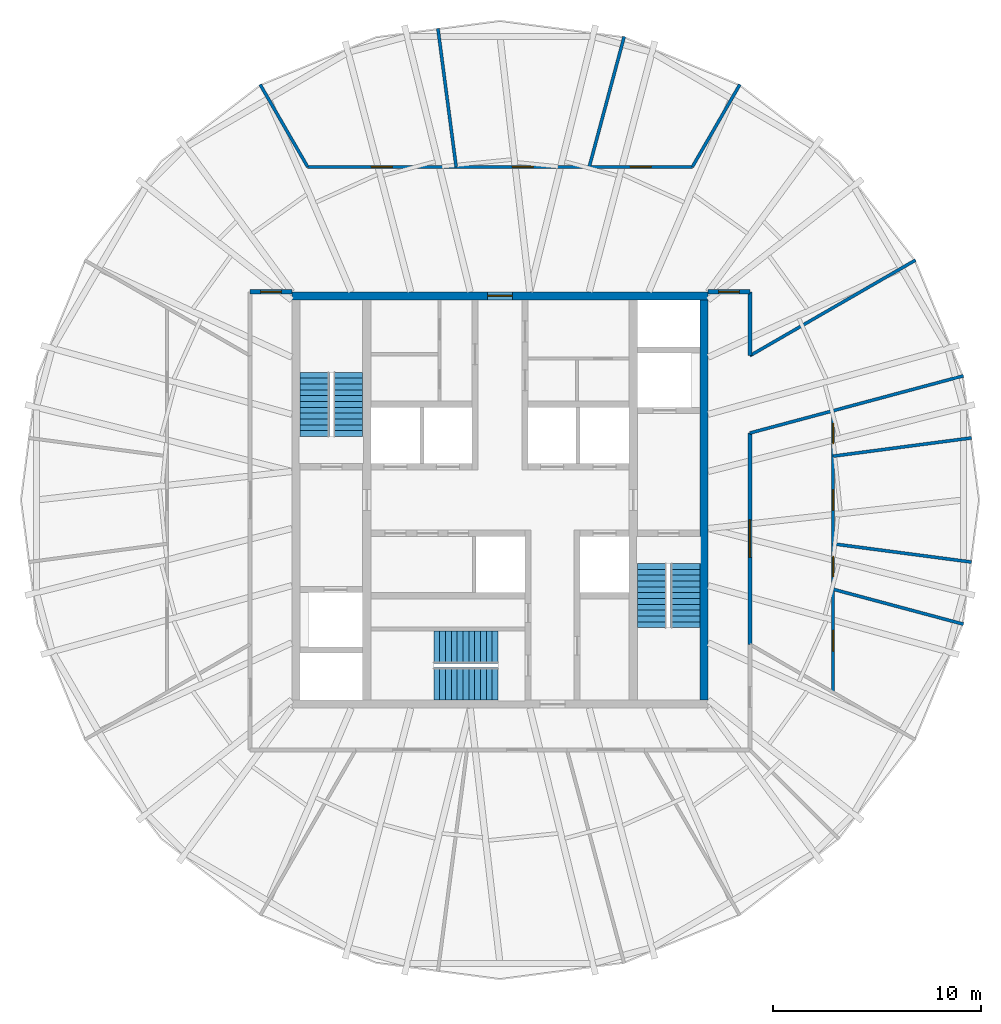
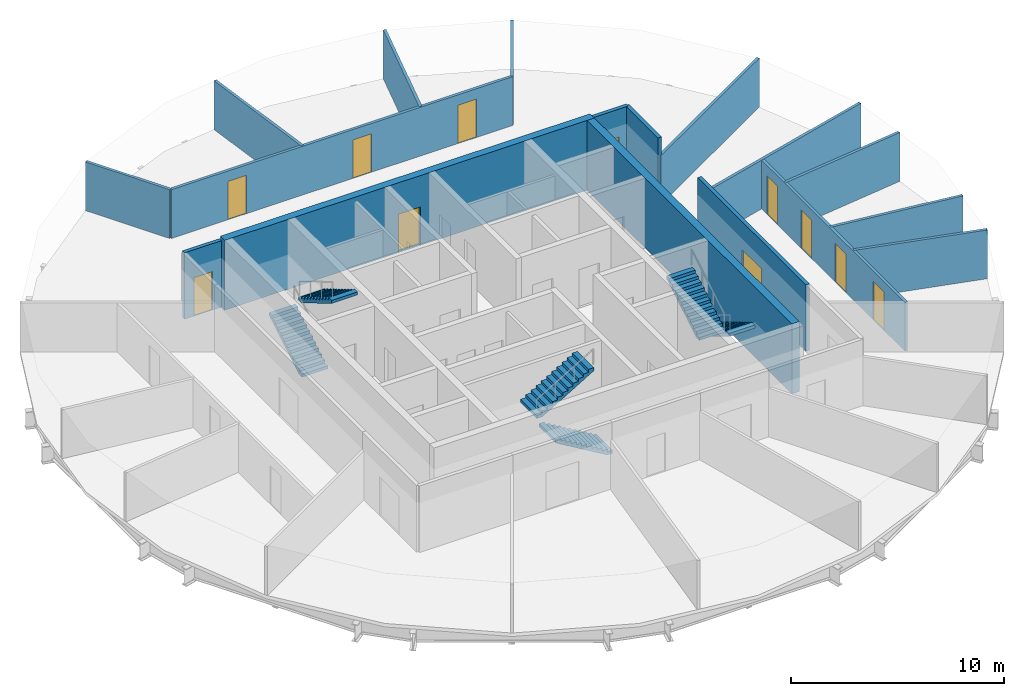
# One storey, part 5 of 6: 17 walls, 11 doors, 6 stair flights, 11 openings, 3 elements without a shape of their own.
"""IFC4 building model written with IfcOpenShell, lengths in metres."""

import ifcopenshell
import ifcopenshell.guid

model = None  # the IFC model being written
_history = None  # IfcOwnerHistory: only IFC2X3 demands one
_inside = {}  # id of a spatial element -> (the spatial element, [elements in it])
_under = {}  # id of a project, library or spatial element -> (it, [spatial elements below it])
_declared = {}  # id of a project -> (the project, [libraries it declares])
_typed = {}  # id of a type object -> (the type object, [elements of that type])
_made_of = {}  # id of a material, layer set ... -> (it, [elements and type objects made of it])


def new_model(schema):
    """Start an empty IFC model of exactly this schema.

    Asked for "IFC4X3", IfcOpenShell would pick the latest addendum, in which some entities
    have other attributes; the version numbers below select the first issue.
    IFC2X3 requires an IfcOwnerHistory on every rooted entity: one is made here for all.
    """
    global model, _history
    if schema == "IFC4X3":
        model = ifcopenshell.file(schema_version=(4, 3, 0, 0))
    else:
        model = ifcopenshell.file(schema=schema)
    _inside.clear()
    _under.clear()
    _declared.clear()
    _typed.clear()
    _made_of.clear()
    _history = None
    if model.schema == "IFC2X3":
        org = make("IfcOrganization", Name="unknown")
        user = make(
            "IfcPersonAndOrganization",
            ThePerson=make("IfcPerson", FamilyName="unknown"),
            TheOrganization=org,
        )
        app = make(
            "IfcApplication",
            ApplicationDeveloper=org,
            Version="unknown",
            ApplicationFullName="unknown",
            ApplicationIdentifier="unknown",
        )
        _history = make(
            "IfcOwnerHistory",
            OwningUser=user,
            OwningApplication=app,
            ChangeAction="ADDED",
            CreationDate=0,
        )
    return model


def make(cls, **values):
    """One entity of the class cls with the attributes given. An attribute that is None is left unset."""
    return model.create_entity(
        cls, **{name: value for name, value in values.items() if value is not None}
    )


def rooted(cls, **values):
    """An entity with a GlobalId (a new one), such as an element, a storey or a relation."""
    return make(cls, GlobalId=ifcopenshell.guid.new(), OwnerHistory=_history, **values)


def si_unit(unit_type, name, prefix=None):
    """IfcSIUnit, for example si_unit("LENGTHUNIT", "METRE", prefix="MILLI")."""
    return make("IfcSIUnit", UnitType=unit_type, Prefix=prefix, Name=name)


def assignment(units):
    """IfcUnitAssignment: the units of a project."""
    return None if units is None else make("IfcUnitAssignment", Units=units)


def point(xyz):
    """IfcCartesianPoint."""
    return None if xyz is None else make("IfcCartesianPoint", Coordinates=xyz)


def direction(xyz):
    """IfcDirection."""
    return None if xyz is None else make("IfcDirection", DirectionRatios=xyz)


def frame(location, z_axis=None, x_axis=None):
    """IfcAxis2Placement3D, a coordinate frame: its origin and axes. An axis left out is left unset."""
    return make(
        "IfcAxis2Placement3D",
        Location=point(location),
        Axis=direction(z_axis),
        RefDirection=direction(x_axis),
    )


def frame_2d(location, x_axis=None):
    """IfcAxis2Placement2D, a coordinate frame in the plane: its origin and x axis."""
    return make(
        "IfcAxis2Placement2D", Location=point(location), RefDirection=direction(x_axis)
    )


def origin():
    """The frame at (0, 0, 0) with its axes left unset."""
    return frame((0.0, 0.0, 0.0))


def place(relative_to, where):
    """IfcLocalPlacement: puts the frame where relative to a parent placement (None: the world)."""
    return make(
        "IfcLocalPlacement", PlacementRelTo=relative_to, RelativePlacement=where
    )


def context(
    kind, dimensions, precision=None, world=None, true_north=None, identifier=None
):
    """IfcGeometricRepresentationContext, for example the 3D "Model" context."""
    return make(
        "IfcGeometricRepresentationContext",
        ContextIdentifier=identifier,
        ContextType=kind,
        CoordinateSpaceDimension=dimensions,
        Precision=precision,
        WorldCoordinateSystem=world,
        TrueNorth=true_north,
    )


def subcontext(parent, identifier, kind, view, scale=None):
    """IfcGeometricRepresentationSubContext, for example "Body" below "Model"."""
    return make(
        "IfcGeometricRepresentationSubContext",
        ContextIdentifier=identifier,
        ContextType=kind,
        ParentContext=parent,
        TargetScale=scale,
        TargetView=view,
    )


def project(units=None, contexts=None):
    """IfcProject with its units and contexts."""
    return rooted(
        "IfcProject",
        Name="project",
        RepresentationContexts=contexts,
        UnitsInContext=assignment(units),
    )


def spatial(cls, under=None, at=None, **own):
    """A site, building, storey or space (cls), placed at a placement, below another one or the project."""
    s = rooted(cls, ObjectPlacement=at, **own)
    if under is not None:
        _under.setdefault(under.id(), (under, []))[1].append(s)
    return s


def polyline(points):
    """IfcPolyline through the points."""
    return make("IfcPolyline", Points=[point(p) for p in points])


def profile(cls, at=None, kind="AREA", **sizes):
    """A parametric profile (cls). Its sizes go by their IFC names, for example OverallWidth=200.0."""
    return make(cls, ProfileType=kind, Position=at, **sizes)


def rectangle(**sizes):
    """IfcRectangleProfileDef."""
    return profile("IfcRectangleProfileDef", **sizes)


def outline(outer, holes=None, kind="AREA"):
    """IfcArbitraryClosedProfileDef: a profile drawn as a closed curve; with holes, ...WithVoids."""
    if holes is None:
        return make("IfcArbitraryClosedProfileDef", ProfileType=kind, OuterCurve=outer)
    return make(
        "IfcArbitraryProfileDefWithVoids",
        ProfileType=kind,
        OuterCurve=outer,
        InnerCurves=holes,
    )


def extrude(swept, where, along, depth):
    """IfcExtrudedAreaSolid: the profile swept, set in the frame where, extruded along a direction by depth."""
    return make(
        "IfcExtrudedAreaSolid",
        SweptArea=swept,
        Position=where,
        ExtrudedDirection=direction(along),
        Depth=depth,
    )


def shape(context_of_items, identifier, shape_type, items):
    """IfcShapeRepresentation: the items that make up one representation, for example the "Body"."""
    return make(
        "IfcShapeRepresentation",
        ContextOfItems=context_of_items,
        RepresentationIdentifier=identifier,
        RepresentationType=shape_type,
        Items=items,
    )


def material(Name=None, Category=None):
    """IfcMaterial."""
    return make("IfcMaterial", Name=Name, Category=Category)


def layer(
    of_material, thickness, ventilated=None, Name=None, Category=None, Priority=None
):
    """IfcMaterialLayer: one layer of a wall or slab, of a material (None: an air gap)."""
    return make(
        "IfcMaterialLayer",
        Material=of_material,
        LayerThickness=thickness,
        IsVentilated=ventilated,
        Name=Name,
        Category=Category,
        Priority=Priority,
    )


def layer_set(layers, Name=None):
    """IfcMaterialLayerSet."""
    return make("IfcMaterialLayerSet", MaterialLayers=layers, LayerSetName=Name)


def made_of(thing, what):
    """Note that an element or type object is made of a material, layer set ...; save() writes the relation."""
    if what is not None:
        _made_of.setdefault(what.id(), (what, []))[1].append(thing)
    return thing


def type_object(cls, material=None, **own):
    """A type object (cls), such as IfcWallType, which elements share."""
    return made_of(rooted(cls, **own), material)


def element(
    cls,
    number,
    at=None,
    inside=None,
    cuts=None,
    type_object=None,
    material=None,
    context=None,
    identifier="Body",
    shape_type=None,
    held_by="IfcProductDefinitionShape",
    body=None,
    shapes=None,
    **own,
):
    """One element of the class cls, such as IfcWall. Its Tag is "e" and its number.

    at: its placement. inside: the storey or other place that contains it. cuts: it is an
    opening in that element (IfcRelVoidsElement). A single representation is given by context,
    identifier, shape_type and body (its items); several are given by shapes. held_by: the class
    of the entity that holds the representations. save() writes the other relations.
    """
    e = rooted(cls, Tag="e%d" % number, ObjectPlacement=at, **own)
    if body is not None:
        shapes = [shape(context, identifier, shape_type, body)]
    if shapes is not None:
        e.Representation = make(held_by, Representations=shapes)
    if inside is not None:
        _inside.setdefault(inside.id(), (inside, []))[1].append(e)
    if cuts is not None:
        rooted(
            "IfcRelVoidsElement", RelatingBuildingElement=cuts, RelatedOpeningElement=e
        )
    if type_object is not None:
        _typed.setdefault(type_object.id(), (type_object, []))[1].append(e)
    return made_of(e, material)


def fill(opening, filler):
    """IfcRelFillsElement: the door or window that sits in an opening."""
    return rooted(
        "IfcRelFillsElement",
        RelatingOpeningElement=opening,
        RelatedBuildingElement=filler,
    )


def aggregate(whole, parts):
    """IfcRelAggregates: a whole, such as a stair, and the parts it consists of."""
    return rooted("IfcRelAggregates", RelatingObject=whole, RelatedObjects=parts)


def save(model, path):
    """Write the relations noted so far, then the file.

    IfcRelAggregates (storeys below a building ...), IfcRelContainedInSpatialStructure (elements
    in a storey), IfcRelDefinesByType, IfcRelAssociatesMaterial and IfcRelDeclares: one each for
    every whole, place, type object, material and project.
    """
    for whole, parts in _under.values():
        aggregate(whole, parts)
    for where, things in _inside.values():
        rooted(
            "IfcRelContainedInSpatialStructure",
            RelatedElements=things,
            RelatingStructure=where,
        )
    for kind, things in _typed.values():
        rooted("IfcRelDefinesByType", RelatedObjects=things, RelatingType=kind)
    for what, things in _made_of.values():
        rooted("IfcRelAssociatesMaterial", RelatedObjects=things, RelatingMaterial=what)
    for by, libraries in _declared.values():
        rooted("IfcRelDeclares", RelatingContext=by, RelatedDefinitions=libraries)
    model.write(path)


model = new_model("IFC4")

# Units and contexts
model_context = context("Model", 3, precision=1e-05, world=origin(), true_north=direction((0.0, 1.0)))
body_context = subcontext(model_context, "Body", "Model", "MODEL_VIEW")
ifc_project = project(units=[si_unit("LENGTHUNIT", "METRE"), si_unit("AREAUNIT", "SQUARE_METRE"), si_unit("VOLUMEUNIT", "CUBIC_METRE"), si_unit("PLANEANGLEUNIT", "RADIAN"), si_unit("MASSUNIT", "GRAM", prefix="KILO")], contexts=[model_context])

# Site, building, storey
site_placement = place(None, origin())
site = spatial("IfcSite", under=ifc_project, at=site_placement, CompositionType="ELEMENT")
building_placement = place(site_placement, origin())
building = spatial("IfcBuilding", under=site, at=building_placement, Name="Golbaran Civic Tower", CompositionType="ELEMENT")
storey_placement = place(building_placement, frame((0.0, 0.0, 228.0)))
storey = spatial("IfcBuildingStorey", under=building, at=storey_placement, Name="L55", CompositionType="ELEMENT", Elevation=228.0)

# Wall, opening, door
ifc_material_1 = material(Name="Concrete C50/60", Category="concrete")
ifc_layer_1 = layer(ifc_material_1, 0.39990234375, Name="Concrete C50/60")
ifc_layer_set_1 = layer_set([ifc_layer_1], Name="Concrete C50/60")
wall_type_1 = type_object("IfcWallType", Name="CORE WALL CONCRETE 400", PredefinedType="SOLIDWALL", material=ifc_layer_set_1)
wall_1_placement = place(storey_placement, frame((-10.0, 9.800048828125, 0.0), z_axis=(0.0, 0.0, 1.0), x_axis=(1.0, 0.0, 0.0)))
wall_1 = element("IfcWall", 1, at=wall_1_placement, inside=storey, type_object=wall_type_1, Name="Core wall CN L55", PredefinedType="SOLIDWALL", context=body_context, shape_type="SweptSolid", body=[
    extrude(rectangle(XDim=20.0, YDim=0.39990234375, at=frame_2d((10.0, 0.0))), origin(), (0.0, 0.0, 1.0), 4.0),
])
opening_1_placement = place(wall_1_placement, frame((9.39990234375, 0.0, 0.0)))
opening_1 = element("IfcOpeningElement", 2, at=opening_1_placement, cuts=wall_1, Name="Opening L55.CN", PredefinedType="OPENING", context=body_context, shape_type="SweptSolid", body=[
    extrude(rectangle(XDim=1.199951171875, YDim=2.199951171875, at=frame_2d((0.60009765625, 1.10009765625))), frame((0.0, 0.2099609375, 0.0), z_axis=(0.0, -1.0, 0.0), x_axis=(1.0, 0.0, 0.0)), (0.0, 0.0, 1.0), 0.419921875),
])
ifc_material_2 = material(Name="Timber door set in steel frame", Category="steel")
door_type_1 = type_object("IfcDoorType", Name="CORE DOOR 1200x2200", OperationType="DOUBLE_DOOR_SINGLE_SWING", PredefinedType="DOOR", material=ifc_material_2)
door_1_placement = place(opening_1_placement, origin())
door_1 = element("IfcDoor", 3, at=door_1_placement, inside=storey, type_object=door_type_1, Name="Core door north", OperationType="DOUBLE_DOOR_SINGLE_SWING", OverallHeight=2.199951171875, OverallWidth=1.199951171875, PredefinedType="DOOR", context=body_context, shape_type="SweptSolid", body=[
    extrude(rectangle(XDim=1.199951171875, YDim=2.199951171875, at=frame_2d((0.60009765625, 1.10009765625))), frame((0.0, 0.02490234375, 0.0), z_axis=(0.0, -1.0, 0.0), x_axis=(1.0, 0.0, 0.0)), (0.0, 0.0, 1.0), 0.050048828125),
])
fill(opening_1, door_1)

# Wall
wall_2_placement = place(storey_placement, frame((9.800048828125, -9.60009765625, 0.0), z_axis=(0.0, 0.0, 1.0), x_axis=(0.0, 1.0, 0.0)))
element("IfcWall", 4, at=wall_2_placement, inside=storey, type_object=wall_type_1, Name="Core wall CE L55", PredefinedType="SOLIDWALL", context=body_context, shape_type="SweptSolid", body=[
    extrude(rectangle(XDim=19.2001953125, YDim=0.39990234375, at=frame_2d((9.60009765625, 0.0))), origin(), (0.0, 0.0, 1.0), 4.0),
])

# Wall, opening, door
ifc_material_3 = material(Name="Gypsum board on steel studs, fire-rated", Category="steel")
ifc_layer_2 = layer(ifc_material_3, 0.199951171875, Name="Gypsum board on steel studs, fire-rated")
ifc_layer_set_2 = layer_set([ifc_layer_2], Name="Gypsum board on steel studs, fire-rated")
wall_type_2 = type_object("IfcWallType", Name="CORRIDOR WALL 200", PredefinedType="PARTITIONING", material=ifc_layer_set_2)
wall_3_placement = place(storey_placement, frame((12.0, -6.92822265625, 0.0), z_axis=(0.0, 0.0, 1.0), x_axis=(0.0, 1.0, 0.0)))
wall_3 = element("IfcWall", 5, at=wall_3_placement, inside=storey, type_object=wall_type_2, Name="Corridor wall L55", PredefinedType="PARTITIONING", context=body_context, shape_type="SweptSolid", body=[
    extrude(rectangle(XDim=10.1435546875, YDim=0.199951171875, at=frame_2d((5.07177734375, 0.0))), origin(), (0.0, 0.0, 1.0), 3.800048828125),
])
opening_2_placement = place(wall_3_placement, frame((4.171875, 0.0, 0.0)))
opening_2 = element("IfcOpeningElement", 6, at=opening_2_placement, cuts=wall_3, Name="Opening L55.12", PredefinedType="OPENING", context=body_context, shape_type="SweptSolid", body=[
    extrude(rectangle(XDim=1.800048828125, YDim=2.199951171875, at=frame_2d((0.89990234375, 1.10009765625))), frame((0.0, 0.10986328125, 0.0), z_axis=(0.0, -1.0, 0.0), x_axis=(1.0, 0.0, 0.0)), (0.0, 0.0, 1.0), 0.219970703125),
])
door_type_2 = type_object("IfcDoorType", Name="OFFICE DOUBLE DOOR 1800x2200", OperationType="DOUBLE_DOOR_SINGLE_SWING", PredefinedType="DOOR", material=ifc_material_2)
door_2_placement = place(opening_2_placement, origin())
door_2 = element("IfcDoor", 7, at=door_2_placement, inside=storey, type_object=door_type_2, Name="Waiting Area door L55", OperationType="DOUBLE_DOOR_SINGLE_SWING", OverallHeight=2.199951171875, OverallWidth=1.800048828125, PredefinedType="DOOR", context=body_context, shape_type="SweptSolid", body=[
    extrude(rectangle(XDim=1.800048828125, YDim=2.199951171875, at=frame_2d((0.89990234375, 1.10009765625))), frame((0.0, 0.02490234375, 0.0), z_axis=(0.0, -1.0, 0.0), x_axis=(1.0, 0.0, 0.0)), (0.0, 0.0, 1.0), 0.050048828125),
])
fill(opening_2, door_2)

# Wall
wall_4_placement = place(storey_placement, frame((12.0, 6.92822265625, 0.0), z_axis=(0.0, 0.0, 1.0), x_axis=(0.0, 1.0, 0.0)))
element("IfcWall", 8, at=wall_4_placement, inside=storey, type_object=wall_type_2, Name="Corridor wall L55", PredefinedType="PARTITIONING", context=body_context, shape_type="SweptSolid", body=[
    extrude(rectangle(XDim=3.07177734375, YDim=0.199951171875, at=frame_2d((1.535888671875, 0.0))), origin(), (0.0, 0.0, 1.0), 3.800048828125),
])

# Wall, opening, door
wall_5_placement = place(storey_placement, frame((-10.0, 10.0, 0.0), z_axis=(0.0, 0.0, 1.0), x_axis=(-1.0, 0.0, 0.0)))
wall_5 = element("IfcWall", 9, at=wall_5_placement, inside=storey, type_object=wall_type_2, Name="Corridor end wall L55", PredefinedType="PARTITIONING", context=body_context, shape_type="SweptSolid", body=[
    extrude(rectangle(XDim=2.0, YDim=0.199951171875, at=frame_2d((1.0, 0.0))), origin(), (0.0, 0.0, 1.0), 3.800048828125),
])
opening_3_placement = place(wall_5_placement, frame((0.5, 0.0, 0.0)))
opening_3 = element("IfcOpeningElement", 10, at=opening_3_placement, cuts=wall_5, Name="Opening L55.21", PredefinedType="OPENING", context=body_context, shape_type="SweptSolid", body=[
    extrude(rectangle(XDim=1.0, YDim=2.199951171875, at=frame_2d((0.5, 1.10009765625))), frame((0.0, 0.10986328125, 0.0), z_axis=(0.0, -1.0, 0.0), x_axis=(1.0, 0.0, 0.0)), (0.0, 0.0, 1.0), 0.219970703125),
])
door_type_3 = type_object("IfcDoorType", Name="OFFICE DOOR 1000x2200", OperationType="SINGLE_SWING_LEFT", PredefinedType="DOOR", material=ifc_material_2)
door_3_placement = place(opening_3_placement, origin())
door_3 = element("IfcDoor", 11, at=door_3_placement, inside=storey, type_object=door_type_3, Name="Open Office door L55", OperationType="SINGLE_SWING_RIGHT", OverallHeight=2.199951171875, OverallWidth=1.0, PredefinedType="DOOR", context=body_context, shape_type="SweptSolid", body=[
    extrude(rectangle(XDim=1.0, YDim=2.199951171875, at=frame_2d((0.5, 1.10009765625))), frame((0.0, 0.02490234375, 0.0), z_axis=(0.0, -1.0, 0.0), x_axis=(1.0, 0.0, 0.0)), (0.0, 0.0, 1.0), 0.050048828125),
])
fill(opening_3, door_3)

wall_6_placement = place(storey_placement, frame((10.0, 10.0, 0.0), z_axis=(0.0, 0.0, 1.0), x_axis=(1.0, 0.0, 0.0)))
wall_6 = element("IfcWall", 12, at=wall_6_placement, inside=storey, type_object=wall_type_2, Name="Corridor end wall L55", PredefinedType="PARTITIONING", context=body_context, shape_type="SweptSolid", body=[
    extrude(rectangle(XDim=2.0, YDim=0.199951171875, at=frame_2d((1.0, 0.0))), origin(), (0.0, 0.0, 1.0), 3.800048828125),
])
opening_4_placement = place(wall_6_placement, frame((0.5, 0.0, 0.0)))
opening_4 = element("IfcOpeningElement", 13, at=opening_4_placement, cuts=wall_6, Name="Opening L55.22", PredefinedType="OPENING", context=body_context, shape_type="SweptSolid", body=[
    extrude(rectangle(XDim=1.0, YDim=2.199951171875, at=frame_2d((0.5, 1.10009765625))), frame((0.0, 0.10986328125, 0.0), z_axis=(0.0, -1.0, 0.0), x_axis=(1.0, 0.0, 0.0)), (0.0, 0.0, 1.0), 0.219970703125),
])
door_4_placement = place(opening_4_placement, origin())
door_4 = element("IfcDoor", 14, at=door_4_placement, inside=storey, type_object=door_type_3, Name="Open Office door L55", OperationType="SINGLE_SWING_LEFT", OverallHeight=2.199951171875, OverallWidth=1.0, PredefinedType="DOOR", context=body_context, shape_type="SweptSolid", body=[
    extrude(rectangle(XDim=1.0, YDim=2.199951171875, at=frame_2d((0.5, 1.10009765625))), frame((0.0, 0.02490234375, 0.0), z_axis=(0.0, -1.0, 0.0), x_axis=(1.0, 0.0, 0.0)), (0.0, 0.0, 1.0), 0.050048828125),
])
fill(opening_4, door_4)

# Walls
ifc_material_4 = material(Name="Gypsum board on steel studs", Category="steel")
ifc_layer_3 = layer(ifc_material_4, 0.14990234375, Name="Gypsum board on steel studs")
ifc_layer_set_3 = layer_set([ifc_layer_3], Name="Gypsum board on steel studs")
wall_type_3 = type_object("IfcWallType", Name="OFFICE PARTITION 150", PredefinedType="PARTITIONING", material=ifc_layer_set_3)
wall_7_placement = place(storey_placement, frame((12.0, 3.21533203125, 0.0), z_axis=(0.0, 0.0, 1.0), x_axis=(0.965922499828, 0.258831459304, 0.0)))
element("IfcWall", 15, at=wall_7_placement, inside=storey, type_object=wall_type_3, Name="Partition 15 L55", PredefinedType="PARTITIONING", context=body_context, shape_type="SweptSolid", body=[
    extrude(rectangle(XDim=10.619873046875, YDim=0.14990234375, at=frame_2d((5.31005859375, 0.0))), origin(), (0.0, 0.0, 1.0), 2.7900390625),
])
wall_8_placement = place(storey_placement, frame((12.0, 6.92822265625, 0.0), z_axis=(0.0, 0.0, 1.0), x_axis=(0.866021843099, 0.500006167237, 0.0)))
element("IfcWall", 16, at=wall_8_placement, inside=storey, type_object=wall_type_3, Name="Partition 30 L55", PredefinedType="PARTITIONING", context=body_context, shape_type="SweptSolid", body=[
    extrude(rectangle(XDim=9.18701171875, YDim=0.14990234375, at=frame_2d((4.593505859375, 0.0))), origin(), (0.0, 0.0, 1.0), 2.7900390625),
])

# Wall, openings, doors
wall_9_placement = place(storey_placement, frame((16.0, -9.237548828125, 0.0), z_axis=(0.0, 0.0, 1.0), x_axis=(0.0, 1.0, 0.0)))
wall_9 = element("IfcWall", 17, at=wall_9_placement, inside=storey, type_object=wall_type_3, Name="Suite partition L55", PredefinedType="PARTITIONING", context=body_context, shape_type="SweptSolid", body=[
    extrude(rectangle(XDim=13.524658203125, YDim=0.14990234375, at=frame_2d((6.76220703125, 0.0))), origin(), (0.0, 0.0, 1.0), 2.7900390625),
])
opening_5_placement = place(wall_9_placement, frame((1.97509765625, 0.0, 0.0)))
opening_5 = element("IfcOpeningElement", 18, at=opening_5_placement, cuts=wall_9, Name="Opening L55.02", PredefinedType="OPENING", context=body_context, shape_type="SweptSolid", body=[
    extrude(rectangle(XDim=1.0, YDim=2.199951171875, at=frame_2d((0.5, 1.10009765625))), frame((0.0, 0.0849609375, 0.0), z_axis=(0.0, -1.0, 0.0), x_axis=(1.0, 0.0, 0.0)), (0.0, 0.0, 1.0), 0.169921875),
])
opening_6_placement = place(wall_9_placement, frame((5.540771484375, 0.0, 0.0)))
opening_6 = element("IfcOpeningElement", 19, at=opening_6_placement, cuts=wall_9, Name="Opening L55.03", PredefinedType="OPENING", context=body_context, shape_type="SweptSolid", body=[
    extrude(rectangle(XDim=1.0, YDim=2.199951171875, at=frame_2d((0.5, 1.10009765625))), frame((0.0, 0.0849609375, 0.0), z_axis=(0.0, -1.0, 0.0), x_axis=(1.0, 0.0, 0.0)), (0.0, 0.0, 1.0), 0.169921875),
])
opening_7_placement = place(wall_9_placement, frame((8.737548828125, 0.0, 0.0)))
opening_7 = element("IfcOpeningElement", 20, at=opening_7_placement, cuts=wall_9, Name="Opening L55.04", PredefinedType="OPENING", context=body_context, shape_type="SweptSolid", body=[
    extrude(rectangle(XDim=1.0, YDim=2.199951171875, at=frame_2d((0.5, 1.10009765625))), frame((0.0, 0.0849609375, 0.0), z_axis=(0.0, -1.0, 0.0), x_axis=(1.0, 0.0, 0.0)), (0.0, 0.0, 1.0), 0.169921875),
])
opening_8_placement = place(wall_9_placement, frame((11.934326171875, 0.0, 0.0)))
opening_8 = element("IfcOpeningElement", 21, at=opening_8_placement, cuts=wall_9, Name="Opening L55.05", PredefinedType="OPENING", context=body_context, shape_type="SweptSolid", body=[
    extrude(rectangle(XDim=1.0, YDim=2.199951171875, at=frame_2d((0.5, 1.10009765625))), frame((0.0, 0.0849609375, 0.0), z_axis=(0.0, -1.0, 0.0), x_axis=(1.0, 0.0, 0.0)), (0.0, 0.0, 1.0), 0.169921875),
])
door_5_placement = place(opening_5_placement, origin())
door_5 = element("IfcDoor", 22, at=door_5_placement, inside=storey, type_object=door_type_3, Name="Assistants' Office door L55", OperationType="SINGLE_SWING_LEFT", OverallHeight=2.199951171875, OverallWidth=1.0, PredefinedType="DOOR", context=body_context, shape_type="SweptSolid", body=[
    extrude(rectangle(XDim=1.0, YDim=2.199951171875, at=frame_2d((0.5, 1.10009765625))), frame((0.0, 0.02490234375, 0.0), z_axis=(0.0, -1.0, 0.0), x_axis=(1.0, 0.0, 0.0)), (0.0, 0.0, 1.0), 0.050048828125),
])
fill(opening_5, door_5)
door_6_placement = place(opening_6_placement, origin())
door_6 = element("IfcDoor", 23, at=door_6_placement, inside=storey, type_object=door_type_3, Name="Assistants' Office door L55", OperationType="SINGLE_SWING_LEFT", OverallHeight=2.199951171875, OverallWidth=1.0, PredefinedType="DOOR", context=body_context, shape_type="SweptSolid", body=[
    extrude(rectangle(XDim=1.0, YDim=2.199951171875, at=frame_2d((0.5, 1.10009765625))), frame((0.0, 0.02490234375, 0.0), z_axis=(0.0, -1.0, 0.0), x_axis=(1.0, 0.0, 0.0)), (0.0, 0.0, 1.0), 0.050048828125),
])
fill(opening_6, door_6)
door_7_placement = place(opening_7_placement, origin())
door_7 = element("IfcDoor", 24, at=door_7_placement, inside=storey, type_object=door_type_3, Name="Office door L55", OperationType="SINGLE_SWING_RIGHT", OverallHeight=2.199951171875, OverallWidth=1.0, PredefinedType="DOOR", context=body_context, shape_type="SweptSolid", body=[
    extrude(rectangle(XDim=1.0, YDim=2.199951171875, at=frame_2d((0.5, 1.10009765625))), frame((0.0, 0.02490234375, 0.0), z_axis=(0.0, -1.0, 0.0), x_axis=(1.0, 0.0, 0.0)), (0.0, 0.0, 1.0), 0.050048828125),
])
fill(opening_7, door_7)
door_8_placement = place(opening_8_placement, origin())
door_8 = element("IfcDoor", 25, at=door_8_placement, inside=storey, type_object=door_type_3, Name="Office door L55", OperationType="SINGLE_SWING_RIGHT", OverallHeight=2.199951171875, OverallWidth=1.0, PredefinedType="DOOR", context=body_context, shape_type="SweptSolid", body=[
    extrude(rectangle(XDim=1.0, YDim=2.199951171875, at=frame_2d((0.5, 1.10009765625))), frame((0.0, 0.02490234375, 0.0), z_axis=(0.0, -1.0, 0.0), x_axis=(1.0, 0.0, 0.0)), (0.0, 0.0, 1.0), 0.050048828125),
])
fill(opening_8, door_8)

# Walls
wall_10_placement = place(storey_placement, frame((16.0, -4.287109375, 0.0), z_axis=(0.0, 0.0, 1.0), x_axis=(0.965919623913, -0.258842191576, 0.0)))
element("IfcWall", 26, at=wall_10_placement, inside=storey, type_object=wall_type_3, Name="Partition 345 L55", PredefinedType="PARTITIONING", context=body_context, shape_type="SweptSolid", body=[
    extrude(rectangle(XDim=6.478759765625, YDim=0.14990234375, at=frame_2d((3.2392578125, 0.0))), origin(), (0.0, 0.0, 1.0), 2.7900390625),
])
for number, where, z_axis, x_axis, name in (
    (27, (16.0, -2.1064453125, 0.0), (0.0, 0.0, 1.0), (0.99144648945, -0.130513825159, 0.0), "Partition 352.5 L55"),
    (28, (16.0, 2.1064453125, 0.0), (0.0, 0.0, 1.0), (0.99144648945, 0.130513825159, 0.0), "Partition 7.5 L55"),
):
    element("IfcWall", number, at=place(storey_placement, frame(where, z_axis=z_axis, x_axis=x_axis)), inside=storey, type_object=wall_type_3, Name=name, PredefinedType="PARTITIONING", context=body_context, shape_type="SweptSolid", body=[
        extrude(rectangle(XDim=6.7080078125, YDim=0.14990234375, at=frame_2d((3.35400390625, 0.0))), origin(), (0.0, 0.0, 1.0), 2.7900390625),
    ])

# Wall, openings, doors
wall_11_placement = place(storey_placement, frame((9.237548828125, 16.0, 0.0), z_axis=(0.0, 0.0, 1.0), x_axis=(-1.0, 0.0, 0.0)))
wall_11 = element("IfcWall", 29, at=wall_11_placement, inside=storey, type_object=wall_type_3, Name="Suite partition L55", PredefinedType="PARTITIONING", context=body_context, shape_type="SweptSolid", body=[
    extrude(rectangle(XDim=18.47509765625, YDim=0.14990234375, at=frame_2d((9.237548828125, 0.0))), origin(), (0.0, 0.0, 1.0), 2.7900390625),
])
opening_9_placement = place(wall_11_placement, frame((1.97509765625, 0.0, 0.0)))
opening_9 = element("IfcOpeningElement", 30, at=opening_9_placement, cuts=wall_11, Name="Opening L55.06", PredefinedType="OPENING", context=body_context, shape_type="SweptSolid", body=[
    extrude(rectangle(XDim=1.0, YDim=2.199951171875, at=frame_2d((0.5, 1.10009765625))), frame((0.0, 0.0849609375, 0.0), z_axis=(0.0, -1.0, 0.0), x_axis=(1.0, 0.0, 0.0)), (0.0, 0.0, 1.0), 0.169921875),
])
opening_10_placement = place(wall_11_placement, frame((7.647216796875, 0.0, 0.0)))
opening_10 = element("IfcOpeningElement", 31, at=opening_10_placement, cuts=wall_11, Name="Opening L55.07", PredefinedType="OPENING", context=body_context, shape_type="SweptSolid", body=[
    extrude(rectangle(XDim=1.0, YDim=2.199951171875, at=frame_2d((0.5, 1.10009765625))), frame((0.0, 0.0849609375, 0.0), z_axis=(0.0, -1.0, 0.0), x_axis=(1.0, 0.0, 0.0)), (0.0, 0.0, 1.0), 0.169921875),
])
opening_11_placement = place(wall_11_placement, frame((14.40966796875, 0.0, 0.0)))
opening_11 = element("IfcOpeningElement", 32, at=opening_11_placement, cuts=wall_11, Name="Opening L55.08", PredefinedType="OPENING", context=body_context, shape_type="SweptSolid", body=[
    extrude(rectangle(XDim=1.0, YDim=2.199951171875, at=frame_2d((0.5, 1.10009765625))), frame((0.0, 0.0849609375, 0.0), z_axis=(0.0, -1.0, 0.0), x_axis=(1.0, 0.0, 0.0)), (0.0, 0.0, 1.0), 0.169921875),
])
door_9_placement = place(opening_9_placement, origin())
door_9 = element("IfcDoor", 33, at=door_9_placement, inside=storey, type_object=door_type_3, Name="Office door L55", OperationType="SINGLE_SWING_LEFT", OverallHeight=2.199951171875, OverallWidth=1.0, PredefinedType="DOOR", context=body_context, shape_type="SweptSolid", body=[
    extrude(rectangle(XDim=1.0, YDim=2.199951171875, at=frame_2d((0.5, 1.10009765625))), frame((0.0, 0.02490234375, 0.0), z_axis=(0.0, -1.0, 0.0), x_axis=(1.0, 0.0, 0.0)), (0.0, 0.0, 1.0), 0.050048828125),
])
fill(opening_9, door_9)
door_10_placement = place(opening_10_placement, origin())
door_10 = element("IfcDoor", 34, at=door_10_placement, inside=storey, type_object=door_type_3, Name="Assistants' Office door L55", OperationType="SINGLE_SWING_LEFT", OverallHeight=2.199951171875, OverallWidth=1.0, PredefinedType="DOOR", context=body_context, shape_type="SweptSolid", body=[
    extrude(rectangle(XDim=1.0, YDim=2.199951171875, at=frame_2d((0.5, 1.10009765625))), frame((0.0, 0.02490234375, 0.0), z_axis=(0.0, -1.0, 0.0), x_axis=(1.0, 0.0, 0.0)), (0.0, 0.0, 1.0), 0.050048828125),
])
fill(opening_10, door_10)
door_11_placement = place(opening_11_placement, origin())
door_11 = element("IfcDoor", 35, at=door_11_placement, inside=storey, type_object=door_type_3, Name="Office door L55", OperationType="SINGLE_SWING_RIGHT", OverallHeight=2.199951171875, OverallWidth=1.0, PredefinedType="DOOR", context=body_context, shape_type="SweptSolid", body=[
    extrude(rectangle(XDim=1.0, YDim=2.199951171875, at=frame_2d((0.5, 1.10009765625))), frame((0.0, 0.02490234375, 0.0), z_axis=(0.0, -1.0, 0.0), x_axis=(1.0, 0.0, 0.0)), (0.0, 0.0, 1.0), 0.050048828125),
])
fill(opening_11, door_11)

# Walls
for number, where, z_axis, x_axis, name in (
    (36, (9.237548828125, 16.0, 0.0), (0.0, 0.0, 1.0), (0.500024700597, 0.866011142419, 0.0), "Suite side partition L55"),
    (37, (-9.237548828125, 16.0, 0.0), (0.0, 0.0, 1.0), (-0.500024700597, 0.866011142419, 0.0), "Suite side partition L55"),
):
    element("IfcWall", number, at=place(storey_placement, frame(where, z_axis=z_axis, x_axis=x_axis)), inside=storey, type_object=wall_type_3, Name=name, PredefinedType="PARTITIONING", context=body_context, shape_type="SweptSolid", body=[
        extrude(rectangle(XDim=4.568115234375, YDim=0.14990234375, at=frame_2d((2.2841796875, 0.0))), origin(), (0.0, 0.0, 1.0), 2.7900390625),
    ])
wall_12_placement = place(storey_placement, frame((4.287109375, 16.0, 0.0), z_axis=(0.0, 0.0, 1.0), x_axis=(0.258842191576, 0.965919623913, 0.0)))
element("IfcWall", 38, at=wall_12_placement, inside=storey, type_object=wall_type_3, Name="Partition 75 L55", PredefinedType="PARTITIONING", context=body_context, shape_type="SweptSolid", body=[
    extrude(rectangle(XDim=6.478759765625, YDim=0.14990234375, at=frame_2d((3.2392578125, 0.0))), origin(), (0.0, 0.0, 1.0), 2.7900390625),
])
wall_13_placement = place(storey_placement, frame((-2.1064453125, 16.0, 0.0), z_axis=(0.0, 0.0, 1.0), x_axis=(-0.130513825159, 0.99144648945, 0.0)))
element("IfcWall", 39, at=wall_13_placement, inside=storey, type_object=wall_type_3, Name="Partition 97.5 L55", PredefinedType="PARTITIONING", context=body_context, shape_type="SweptSolid", body=[
    extrude(rectangle(XDim=6.7080078125, YDim=0.14990234375, at=frame_2d((3.35400390625, 0.0))), origin(), (0.0, 0.0, 1.0), 2.7900390625),
])

# Stair, stair flights
ifc_material_5 = material(Name="Concrete C35/45", Category="concrete")
stair_type_1 = type_object("IfcStairType", Name="EXIT STAIR 3000 x 7850, 4000 RISE", PredefinedType="HALF_TURN_STAIR", material=ifc_material_5)
stair_1_placement = place(storey_placement, origin())
stair_1 = element("IfcStair", 40, at=stair_1_placement, inside=storey, type_object=stair_type_1, Name="Stair S1 L55", PredefinedType="HALF_TURN_STAIR")
stair_flight_type_1 = type_object("IfcStairFlightType", Name="STAIR FLIGHT 1400 WIDE", PredefinedType="STRAIGHT", material=ifc_material_5)
stair_flight_1_placement = place(storey_placement, frame((-8.89990234375, 3.050048828125, 0.0), z_axis=(0.0, 0.0, 1.0), x_axis=(0.0, 1.0, 0.0)))
stair_flight_1 = element("IfcStairFlight", 41, at=stair_flight_1_placement, type_object=stair_flight_type_1, Name="ST30078-40 flight 1", NumberOfRisers=12, NumberOfTreads=11, PredefinedType="STRAIGHT", RiserHeight=0.166666667, TreadLength=0.28, context=body_context, shape_type="SweptSolid", body=[
    extrude(outline(polyline([(0.0, 0.0), (0.0, 0.166748046875), (0.280029296875, 0.166748046875), (0.280029296875, 0.333251953125), (0.56005859375, 0.333251953125), (0.56005859375, 0.5), (0.840087890625, 0.5), (0.840087890625, 0.666748046875), (1.1201171875, 0.666748046875), (1.1201171875, 0.833251953125), (1.39990234375, 0.833251953125), (1.39990234375, 1.0), (1.679931640625, 1.0), (1.679931640625, 1.166748046875), (1.9599609375, 1.166748046875), (1.9599609375, 1.333251953125), (2.239990234375, 1.333251953125), (2.239990234375, 1.5), (2.52001953125, 1.5), (2.52001953125, 1.666748046875), (2.800048828125, 1.666748046875), (2.800048828125, 1.833251953125), (3.080078125, 1.833251953125), (3.080078125, 2.0), (3.080078125, 1.658935546875), (0.29296875, 0.0), (0.0, 0.0)])), frame((0.0, 0.699951171875, 0.0), z_axis=(0.0, -1.0, 0.0), x_axis=(1.0, 0.0, 0.0)), (0.0, 0.0, 1.0), 1.39990234375),
])
stair_flight_2_placement = place(storey_placement, frame((-7.300048828125, 6.1298828125, 2.0), z_axis=(0.0, 0.0, 1.0), x_axis=(0.0, -1.0, 0.0)))
stair_flight_2 = element("IfcStairFlight", 42, at=stair_flight_2_placement, type_object=stair_flight_type_1, Name="ST30078-40 flight 2", NumberOfRisers=12, NumberOfTreads=11, PredefinedType="STRAIGHT", RiserHeight=0.166666667, TreadLength=0.28, context=body_context, shape_type="SweptSolid", body=[
    extrude(outline(polyline([(0.0, 0.0), (0.0, 0.166748046875), (0.280029296875, 0.166748046875), (0.280029296875, 0.333251953125), (0.56005859375, 0.333251953125), (0.56005859375, 0.5), (0.840087890625, 0.5), (0.840087890625, 0.666748046875), (1.1201171875, 0.666748046875), (1.1201171875, 0.833251953125), (1.39990234375, 0.833251953125), (1.39990234375, 1.0), (1.679931640625, 1.0), (1.679931640625, 1.166748046875), (1.9599609375, 1.166748046875), (1.9599609375, 1.333251953125), (2.239990234375, 1.333251953125), (2.239990234375, 1.5), (2.52001953125, 1.5), (2.52001953125, 1.666748046875), (2.800048828125, 1.666748046875), (2.800048828125, 1.833251953125), (3.080078125, 1.833251953125), (3.080078125, 2.0), (3.080078125, 1.658935546875), (0.29296875, 0.0), (0.0, 0.0)])), frame((0.0, 0.699951171875, 0.0), z_axis=(0.0, -1.0, 0.0), x_axis=(1.0, 0.0, 0.0)), (0.0, 0.0, 1.0), 1.39990234375),
])
aggregate(stair_1, [stair_flight_1, stair_flight_2])

stair_2_placement = place(storey_placement, origin())
stair_2 = element("IfcStair", 43, at=stair_2_placement, inside=storey, type_object=stair_type_1, Name="Stair S2 L55", PredefinedType="HALF_TURN_STAIR")
stair_flight_3_placement = place(storey_placement, frame((8.89990234375, -3.050048828125, 0.0), z_axis=(0.0, 0.0, 1.0), x_axis=(0.0, -1.0, 0.0)))
stair_flight_3 = element("IfcStairFlight", 44, at=stair_flight_3_placement, type_object=stair_flight_type_1, Name="ST30078-40 flight 1", NumberOfRisers=12, NumberOfTreads=11, PredefinedType="STRAIGHT", RiserHeight=0.166666667, TreadLength=0.28, context=body_context, shape_type="SweptSolid", body=[
    extrude(outline(polyline([(0.0, 0.0), (0.0, 0.166748046875), (0.280029296875, 0.166748046875), (0.280029296875, 0.333251953125), (0.56005859375, 0.333251953125), (0.56005859375, 0.5), (0.840087890625, 0.5), (0.840087890625, 0.666748046875), (1.1201171875, 0.666748046875), (1.1201171875, 0.833251953125), (1.39990234375, 0.833251953125), (1.39990234375, 1.0), (1.679931640625, 1.0), (1.679931640625, 1.166748046875), (1.9599609375, 1.166748046875), (1.9599609375, 1.333251953125), (2.239990234375, 1.333251953125), (2.239990234375, 1.5), (2.52001953125, 1.5), (2.52001953125, 1.666748046875), (2.800048828125, 1.666748046875), (2.800048828125, 1.833251953125), (3.080078125, 1.833251953125), (3.080078125, 2.0), (3.080078125, 1.658935546875), (0.29296875, 0.0), (0.0, 0.0)])), frame((0.0, 0.699951171875, 0.0), z_axis=(0.0, -1.0, 0.0), x_axis=(1.0, 0.0, 0.0)), (0.0, 0.0, 1.0), 1.39990234375),
])
stair_flight_4_placement = place(storey_placement, frame((7.300048828125, -6.1298828125, 2.0), z_axis=(0.0, 0.0, 1.0), x_axis=(0.0, 1.0, 0.0)))
stair_flight_4 = element("IfcStairFlight", 45, at=stair_flight_4_placement, type_object=stair_flight_type_1, Name="ST30078-40 flight 2", NumberOfRisers=12, NumberOfTreads=11, PredefinedType="STRAIGHT", RiserHeight=0.166666667, TreadLength=0.28, context=body_context, shape_type="SweptSolid", body=[
    extrude(outline(polyline([(0.0, 0.0), (0.0, 0.166748046875), (0.280029296875, 0.166748046875), (0.280029296875, 0.333251953125), (0.56005859375, 0.333251953125), (0.56005859375, 0.5), (0.840087890625, 0.5), (0.840087890625, 0.666748046875), (1.1201171875, 0.666748046875), (1.1201171875, 0.833251953125), (1.39990234375, 0.833251953125), (1.39990234375, 1.0), (1.679931640625, 1.0), (1.679931640625, 1.166748046875), (1.9599609375, 1.166748046875), (1.9599609375, 1.333251953125), (2.239990234375, 1.333251953125), (2.239990234375, 1.5), (2.52001953125, 1.5), (2.52001953125, 1.666748046875), (2.800048828125, 1.666748046875), (2.800048828125, 1.833251953125), (3.080078125, 1.833251953125), (3.080078125, 2.0), (3.080078125, 1.658935546875), (0.29296875, 0.0), (0.0, 0.0)])), frame((0.0, 0.699951171875, 0.0), z_axis=(0.0, -1.0, 0.0), x_axis=(1.0, 0.0, 0.0)), (0.0, 0.0, 1.0), 1.39990234375),
])
aggregate(stair_2, [stair_flight_3, stair_flight_4])

stair_type_2 = type_object("IfcStairType", Name="EXIT STAIR 3300 x 7400, 4000 RISE", PredefinedType="HALF_TURN_STAIR", material=ifc_material_5)
stair_3_placement = place(storey_placement, origin())
stair_3 = element("IfcStair", 46, at=stair_3_placement, inside=storey, type_object=stair_type_2, Name="Stair S3 L55", PredefinedType="HALF_TURN_STAIR")
stair_flight_type_2 = type_object("IfcStairFlightType", Name="STAIR FLIGHT 1550 WIDE", PredefinedType="STRAIGHT", material=ifc_material_5)
stair_flight_5_placement = place(storey_placement, frame((-0.10009765625, -8.824951171875, 0.0), z_axis=(0.0, 0.0, 1.0), x_axis=(-1.0, 0.0, 0.0)))
stair_flight_5 = element("IfcStairFlight", 47, at=stair_flight_5_placement, type_object=stair_flight_type_2, Name="ST33074-40 flight 1", NumberOfRisers=12, NumberOfTreads=11, PredefinedType="STRAIGHT", RiserHeight=0.166666667, TreadLength=0.28, context=body_context, shape_type="SweptSolid", body=[
    extrude(outline(polyline([(0.0, 0.0), (0.0, 0.166748046875), (0.280029296875, 0.166748046875), (0.280029296875, 0.333251953125), (0.56005859375, 0.333251953125), (0.56005859375, 0.5), (0.840087890625, 0.5), (0.840087890625, 0.666748046875), (1.1201171875, 0.666748046875), (1.1201171875, 0.833251953125), (1.39990234375, 0.833251953125), (1.39990234375, 1.0), (1.679931640625, 1.0), (1.679931640625, 1.166748046875), (1.9599609375, 1.166748046875), (1.9599609375, 1.333251953125), (2.239990234375, 1.333251953125), (2.239990234375, 1.5), (2.52001953125, 1.5), (2.52001953125, 1.666748046875), (2.800048828125, 1.666748046875), (2.800048828125, 1.833251953125), (3.080078125, 1.833251953125), (3.080078125, 2.0), (3.080078125, 1.658935546875), (0.29296875, 0.0), (0.0, 0.0)])), frame((0.0, 0.77490234375, 0.0), z_axis=(0.0, -1.0, 0.0), x_axis=(1.0, 0.0, 0.0)), (0.0, 0.0, 1.0), 1.550048828125),
])
stair_flight_6_placement = place(storey_placement, frame((-3.179931640625, -7.074951171875, 2.0), z_axis=(0.0, 0.0, 1.0), x_axis=(1.0, 0.0, 0.0)))
stair_flight_6 = element("IfcStairFlight", 48, at=stair_flight_6_placement, type_object=stair_flight_type_2, Name="ST33074-40 flight 2", NumberOfRisers=12, NumberOfTreads=11, PredefinedType="STRAIGHT", RiserHeight=0.166666667, TreadLength=0.28, context=body_context, shape_type="SweptSolid", body=[
    extrude(outline(polyline([(0.0, 0.0), (0.0, 0.166748046875), (0.280029296875, 0.166748046875), (0.280029296875, 0.333251953125), (0.56005859375, 0.333251953125), (0.56005859375, 0.5), (0.840087890625, 0.5), (0.840087890625, 0.666748046875), (1.1201171875, 0.666748046875), (1.1201171875, 0.833251953125), (1.39990234375, 0.833251953125), (1.39990234375, 1.0), (1.679931640625, 1.0), (1.679931640625, 1.166748046875), (1.9599609375, 1.166748046875), (1.9599609375, 1.333251953125), (2.239990234375, 1.333251953125), (2.239990234375, 1.5), (2.52001953125, 1.5), (2.52001953125, 1.666748046875), (2.800048828125, 1.666748046875), (2.800048828125, 1.833251953125), (3.080078125, 1.833251953125), (3.080078125, 2.0), (3.080078125, 1.658935546875), (0.29296875, 0.0), (0.0, 0.0)])), frame((0.0, 0.77490234375, 0.0), z_axis=(0.0, -1.0, 0.0), x_axis=(1.0, 0.0, 0.0)), (0.0, 0.0, 1.0), 1.550048828125),
])
aggregate(stair_3, [stair_flight_5, stair_flight_6])

save(model, "model.ifc")
